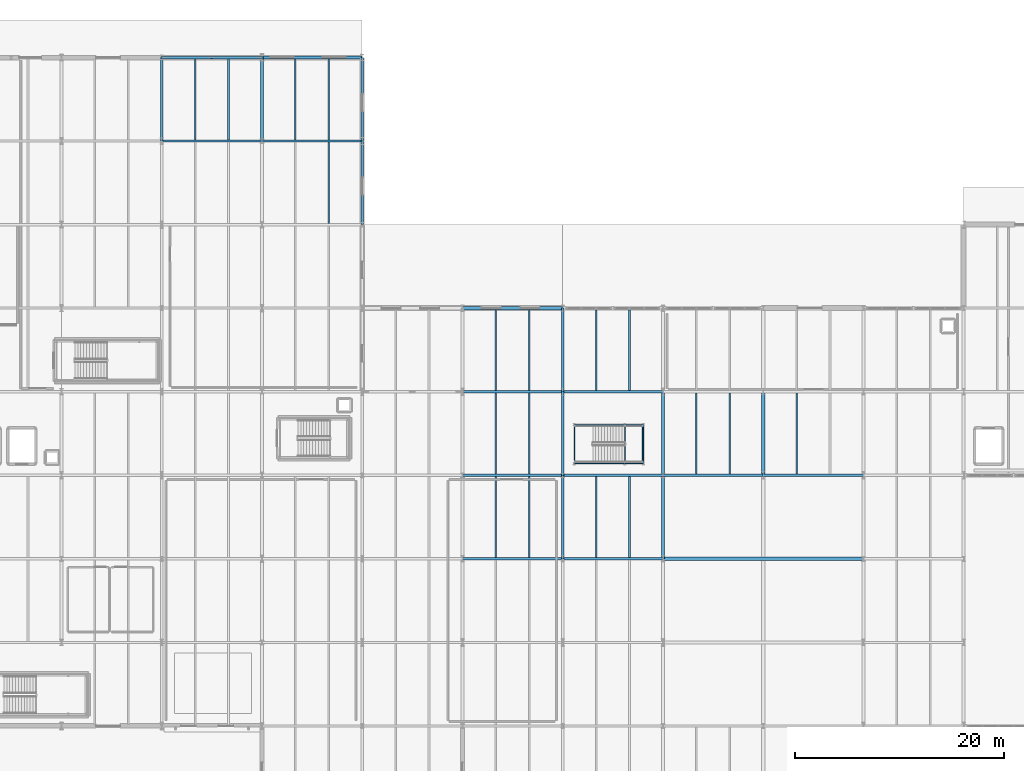
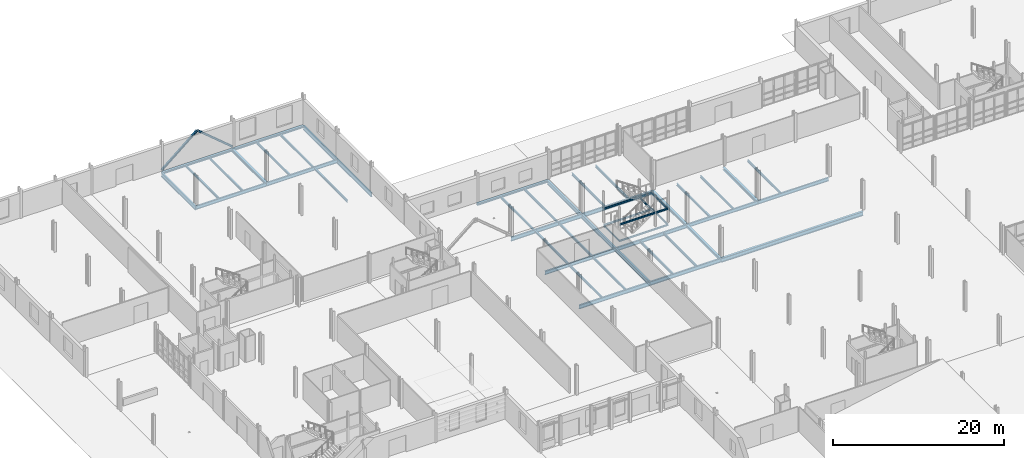
# One storey, part 37 of 78: 50 beams, 2 members.
"""IFC4 building model written with IfcOpenShell, lengths in metres."""

from ifc_helpers import new_model, si_unit, direction, frame, origin, origin_2d, place, context, subcontext, project, spatial, i_section, extrude, material, material_profile, profile_set, type_object, element, save


model = new_model("IFC4")

# Units and contexts
model_context = context("Model", 3, precision=1e-05, world=origin(), true_north=direction((0.0, 1.0)))
body_context = subcontext(model_context, "Body", "Model", "MODEL_VIEW")
ifc_project = project(units=[si_unit("LENGTHUNIT", "METRE"), si_unit("AREAUNIT", "SQUARE_METRE"), si_unit("VOLUMEUNIT", "CUBIC_METRE"), si_unit("PLANEANGLEUNIT", "RADIAN"), si_unit("MASSUNIT", "GRAM", prefix="KILO")], contexts=[model_context])

# Site, building, storey
site_placement = place(None, origin())
site = spatial("IfcSite", under=ifc_project, at=site_placement, CompositionType="ELEMENT")
building_placement = place(site_placement, origin())
building = spatial("IfcBuilding", under=site, at=building_placement, Name="Alderhovde Museum", CompositionType="ELEMENT")
storey_placement = place(building_placement, origin())
storey = spatial("IfcBuildingStorey", under=building, at=storey_placement, Name="L00", CompositionType="ELEMENT", Elevation=0.0)

# Beams
ifc_material_1 = material(Name="Steel S355J2", Category="steel")
ifc_material_profile_1 = material_profile(ifc_material_1, i_section(OverallWidth=0.300048828125, OverallDepth=0.389892578125, WebThickness=0.010986328125, FlangeThickness=0.01904296875, FilletRadius=0.027099609375, at=origin_2d()), Name="HEA 400")
ifc_profile_set_1 = profile_set([ifc_material_profile_1], Name="Steel S355J2")
beam_type_1 = type_object("IfcBeamType", Name="BM-HEA400", PredefinedType="BEAM", material=ifc_profile_set_1)
for number, where, z_axis, x_axis, name in (
    (1, (48.0, 104.0, -0.47509765625), (0.0, 1.0, 0.0), (-1.0, 0.0, 0.0), "L00 Grid Beam X=48.0 (104.0 TO 112.0)"),
    (2, (86.39990234375, 64.0, -0.47509765625), (0.0, 1.0, 0.0), (-1.0, 0.0, 0.0), "L00 Grid Beam X=86.4 (64.0 TO 72.0)"),
    (3, (86.39990234375, 72.0, -0.47509765625), (0.0, 1.0, 0.0), (-1.0, 0.0, 0.0), "L00 Grid Beam X=86.4 (72.0 TO 80.0)"),
    (4, (96.0, 72.0, -0.47509765625), (0.0, 1.0, 0.0), (-1.0, 0.0, 0.0), "L00 Grid Beam X=96.0 (72.0 TO 80.0)"),
):
    element("IfcBeam", number, at=place(storey_placement, frame(where, z_axis=z_axis, x_axis=x_axis)), inside=storey, type_object=beam_type_1, Name=name, PredefinedType="BEAM", context=body_context, shape_type="SweptSolid", body=[
        extrude(i_section(OverallWidth=0.300048828125, OverallDepth=0.389892578125, WebThickness=0.010986328125, FlangeThickness=0.01904296875, FilletRadius=0.027099609375, at=origin_2d()), origin(), (0.0, 0.0, 1.0), 8.0),
    ])
ifc_material_2 = material(Name="Steel S355J2", Category="steel")
ifc_material_profile_2 = material_profile(ifc_material_2, i_section(OverallWidth=0.300048828125, OverallDepth=0.60009765625, WebThickness=0.015380859375, FlangeThickness=0.030029296875, FilletRadius=0.027099609375, at=origin_2d()), Name="HEB 600")
ifc_profile_set_2 = profile_set([ifc_material_profile_2], Name="Steel S355J2")
beam_type_2 = type_object("IfcBeamType", Name="BM-HEB600", PredefinedType="BEAM", material=ifc_profile_set_2)
beam_1_placement = place(storey_placement, frame((86.39990234375, 64.0, -0.580078125), z_axis=(1.0, 0.0, 0.0), x_axis=(0.0, 1.0, 0.0)))
element("IfcBeam", 5, at=beam_1_placement, inside=storey, type_object=beam_type_2, Name="L00 Grid Beam Y=64.0 (86.4 TO 105.6)", PredefinedType="BEAM", context=body_context, shape_type="SweptSolid", body=[
    extrude(i_section(OverallWidth=0.300048828125, OverallDepth=0.60009765625, WebThickness=0.015380859375, FlangeThickness=0.030029296875, FilletRadius=0.027099609375, at=origin_2d()), origin(), (0.0, 0.0, 1.0), 19.2001953125),
])
ifc_material_3 = material(Name="Steel S355J2", Category="steel")
ifc_material_profile_3 = material_profile(ifc_material_3, i_section(OverallWidth=0.1201171875, OverallDepth=0.239990234375, WebThickness=0.006103515625, FlangeThickness=0.009765625, FilletRadius=0.014892578125, at=origin_2d()), Name="IPE 240")
ifc_profile_set_3 = profile_set([ifc_material_profile_3], Name="Steel S355J2")
beam_type_3 = type_object("IfcBeamType", Name="BM-IPE240", PredefinedType="BEAM", material=ifc_profile_set_3)
for number, where, z_axis, x_axis, name in (
    (6, (77.919921875, 73.1201171875, 1.929931640625), (1.0, 0.0, 0.0), (0.0, 1.0, 0.0), "L00 Stair ST5 Landing 1 Beam S"),
    (7, (77.919921875, 76.840087890625, 1.929931640625), (1.0, 0.0, 0.0), (0.0, 1.0, 0.0), "L00 Stair ST5 Landing 1 Beam N"),
):
    element("IfcBeam", number, at=place(storey_placement, frame(where, z_axis=z_axis, x_axis=x_axis)), inside=storey, type_object=beam_type_3, Name=name, PredefinedType="BEAM", context=body_context, shape_type="SweptSolid", body=[
        extrude(i_section(OverallWidth=0.1201171875, OverallDepth=0.239990234375, WebThickness=0.006103515625, FlangeThickness=0.009765625, FilletRadius=0.014892578125, at=origin_2d()), origin(), (0.0, 0.0, 1.0), 6.60009765625),
    ])
for number, where, z_axis, x_axis, name in (
    (8, (82.760009765625, 73.1201171875, 1.929931640625), (0.0, 1.0, 0.0), (-1.0, 0.0, 0.0), "L00 Stair ST5 Landing 1 Beam W"),
    (9, (84.43994140625, 73.1201171875, 1.929931640625), (0.0, 1.0, 0.0), (-1.0, 0.0, 0.0), "L00 Stair ST5 Landing 1 Beam E"),
):
    element("IfcBeam", number, at=place(storey_placement, frame(where, z_axis=z_axis, x_axis=x_axis)), inside=storey, type_object=beam_type_3, Name=name, PredefinedType="BEAM", context=body_context, shape_type="SweptSolid", body=[
        extrude(i_section(OverallWidth=0.1201171875, OverallDepth=0.239990234375, WebThickness=0.006103515625, FlangeThickness=0.009765625, FilletRadius=0.014892578125, at=origin_2d()), origin(), (0.0, 0.0, 1.0), 3.719970703125),
    ])
for number, where, z_axis, x_axis, name in (
    (10, (77.919921875, 73.1201171875, -0.39990234375), (1.0, 0.0, 0.0), (0.0, 1.0, 0.0), "L00 Stair ST5 Floor Trimmer S"),
    (11, (77.919921875, 76.840087890625, -0.39990234375), (1.0, 0.0, 0.0), (0.0, 1.0, 0.0), "L00 Stair ST5 Floor Trimmer N"),
):
    element("IfcBeam", number, at=place(storey_placement, frame(where, z_axis=z_axis, x_axis=x_axis)), inside=storey, type_object=beam_type_3, Name=name, PredefinedType="BEAM", context=body_context, shape_type="SweptSolid", body=[
        extrude(i_section(OverallWidth=0.1201171875, OverallDepth=0.239990234375, WebThickness=0.006103515625, FlangeThickness=0.009765625, FilletRadius=0.014892578125, at=origin_2d()), origin(), (0.0, 0.0, 1.0), 6.60009765625),
    ])
for number, where, z_axis, x_axis, name in (
    (12, (77.919921875, 73.1201171875, -0.39990234375), (0.0, 1.0, 0.0), (-1.0, 0.0, 0.0), "L00 Stair ST5 Floor Trimmer W"),
    (13, (84.52001953125, 73.1201171875, -0.39990234375), (0.0, 1.0, 0.0), (-1.0, 0.0, 0.0), "L00 Stair ST5 Floor Trimmer E"),
):
    element("IfcBeam", number, at=place(storey_placement, frame(where, z_axis=z_axis, x_axis=x_axis)), inside=storey, type_object=beam_type_3, Name=name, PredefinedType="BEAM", context=body_context, shape_type="SweptSolid", body=[
        extrude(i_section(OverallWidth=0.1201171875, OverallDepth=0.239990234375, WebThickness=0.006103515625, FlangeThickness=0.009765625, FilletRadius=0.014892578125, at=origin_2d()), origin(), (0.0, 0.0, 1.0), 3.719970703125),
    ])
ifc_material_4 = material(Name="Steel S355J2", Category="steel")
ifc_material_profile_4 = material_profile(ifc_material_4, i_section(OverallWidth=0.199951171875, OverallDepth=0.5, WebThickness=0.01025390625, FlangeThickness=0.01611328125, FilletRadius=0.02099609375, at=origin_2d()), Name="IPE 500")
ifc_profile_set_4 = profile_set([ifc_material_profile_4], Name="Steel S355J2")
beam_type_4 = type_object("IfcBeamType", Name="BM-IPE500", PredefinedType="BEAM", material=ifc_profile_set_4)
beam_2_placement = place(storey_placement, frame((67.199951171875, 72.0, -0.530029296875), z_axis=(1.0, 0.0, 0.0), x_axis=(0.0, 1.0, 0.0)))
element("IfcBeam", 14, at=beam_2_placement, inside=storey, type_object=beam_type_4, Name="L00 Grid Beam Y=72.0 (67.2 TO 76.8)", PredefinedType="BEAM", context=body_context, shape_type="SweptSolid", body=[
    extrude(i_section(OverallWidth=0.199951171875, OverallDepth=0.5, WebThickness=0.01025390625, FlangeThickness=0.01611328125, FilletRadius=0.02099609375, at=origin_2d()), origin(), (0.0, 0.0, 1.0), 9.60009765625),
])
beam_3_placement = place(storey_placement, frame((76.800048828125, 72.0, -0.530029296875), z_axis=(1.0, 0.0, 0.0), x_axis=(0.0, 1.0, 0.0)))
element("IfcBeam", 15, at=beam_3_placement, inside=storey, type_object=beam_type_4, Name="L00 Grid Beam Y=72.0 (76.8 TO 86.4)", PredefinedType="BEAM", context=body_context, shape_type="SweptSolid", body=[
    extrude(i_section(OverallWidth=0.199951171875, OverallDepth=0.5, WebThickness=0.01025390625, FlangeThickness=0.01611328125, FilletRadius=0.02099609375, at=origin_2d()), origin(), (0.0, 0.0, 1.0), 9.599853515625),
])
for number, where, z_axis, x_axis, name in (
    (16, (86.39990234375, 72.0, -0.530029296875), (1.0, 0.0, 0.0), (0.0, 1.0, 0.0), "L00 Grid Beam Y=72.0 (86.4 TO 96.0)"),
    (17, (96.0, 72.0, -0.530029296875), (1.0, 0.0, 0.0), (0.0, 1.0, 0.0), "L00 Grid Beam Y=72.0 (96.0 TO 105.6)"),
    (18, (38.39990234375, 104.0, -0.530029296875), (1.0, 0.0, 0.0), (0.0, 1.0, 0.0), "L00 Grid Beam Y=104.0 (38.4 TO 48.0)"),
    (19, (48.0, 104.0, -0.530029296875), (1.0, 0.0, 0.0), (0.0, 1.0, 0.0), "L00 Grid Beam Y=104.0 (48.0 TO 57.6)"),
):
    element("IfcBeam", number, at=place(storey_placement, frame(where, z_axis=z_axis, x_axis=x_axis)), inside=storey, type_object=beam_type_4, Name=name, PredefinedType="BEAM", context=body_context, shape_type="SweptSolid", body=[
        extrude(i_section(OverallWidth=0.199951171875, OverallDepth=0.5, WebThickness=0.01025390625, FlangeThickness=0.01611328125, FilletRadius=0.02099609375, at=origin_2d()), origin(), (0.0, 0.0, 1.0), 9.60009765625),
    ])
ifc_material_5 = material(Name="Steel S355J2", Category="steel")
ifc_material_profile_5 = material_profile(ifc_material_5, i_section(OverallWidth=0.2099609375, OverallDepth=0.550048828125, WebThickness=0.010986328125, FlangeThickness=0.01708984375, FilletRadius=0.02392578125, at=origin_2d()), Name="IPE 550")
ifc_profile_set_5 = profile_set([ifc_material_profile_5], Name="Steel S355J2")
beam_type_5 = type_object("IfcBeamType", Name="BM-IPE550", PredefinedType="BEAM", material=ifc_profile_set_5)
beam_4_placement = place(storey_placement, frame((67.199951171875, 64.0, -0.554931640625), z_axis=(1.0, 0.0, 0.0), x_axis=(0.0, 1.0, 0.0)))
element("IfcBeam", 20, at=beam_4_placement, inside=storey, type_object=beam_type_5, Name="L00 Grid Beam Y=64.0 (67.2 TO 76.8)", PredefinedType="BEAM", context=body_context, shape_type="SweptSolid", body=[
    extrude(i_section(OverallWidth=0.2099609375, OverallDepth=0.550048828125, WebThickness=0.010986328125, FlangeThickness=0.01708984375, FilletRadius=0.02392578125, at=origin_2d()), origin(), (0.0, 0.0, 1.0), 9.60009765625),
])
beam_5_placement = place(storey_placement, frame((76.800048828125, 64.0, -0.554931640625), z_axis=(1.0, 0.0, 0.0), x_axis=(0.0, 1.0, 0.0)))
element("IfcBeam", 21, at=beam_5_placement, inside=storey, type_object=beam_type_5, Name="L00 Grid Beam Y=64.0 (76.8 TO 86.4)", PredefinedType="BEAM", context=body_context, shape_type="SweptSolid", body=[
    extrude(i_section(OverallWidth=0.2099609375, OverallDepth=0.550048828125, WebThickness=0.010986328125, FlangeThickness=0.01708984375, FilletRadius=0.02392578125, at=origin_2d()), origin(), (0.0, 0.0, 1.0), 9.599853515625),
])
beam_6_placement = place(storey_placement, frame((67.199951171875, 80.0, -0.554931640625), z_axis=(1.0, 0.0, 0.0), x_axis=(0.0, 1.0, 0.0)))
element("IfcBeam", 22, at=beam_6_placement, inside=storey, type_object=beam_type_5, Name="L00 Grid Beam Y=80.0 (67.2 TO 76.8)", PredefinedType="BEAM", context=body_context, shape_type="SweptSolid", body=[
    extrude(i_section(OverallWidth=0.2099609375, OverallDepth=0.550048828125, WebThickness=0.010986328125, FlangeThickness=0.01708984375, FilletRadius=0.02392578125, at=origin_2d()), origin(), (0.0, 0.0, 1.0), 9.60009765625),
])
beam_7_placement = place(storey_placement, frame((76.800048828125, 80.0, -0.554931640625), z_axis=(1.0, 0.0, 0.0), x_axis=(0.0, 1.0, 0.0)))
element("IfcBeam", 23, at=beam_7_placement, inside=storey, type_object=beam_type_5, Name="L00 Grid Beam Y=80.0 (76.8 TO 86.4)", PredefinedType="BEAM", context=body_context, shape_type="SweptSolid", body=[
    extrude(i_section(OverallWidth=0.2099609375, OverallDepth=0.550048828125, WebThickness=0.010986328125, FlangeThickness=0.01708984375, FilletRadius=0.02392578125, at=origin_2d()), origin(), (0.0, 0.0, 1.0), 9.599853515625),
])
ifc_material_6 = material(Name="Steel S355J2", Category="steel")
ifc_material_profile_6 = material_profile(ifc_material_6, i_section(OverallWidth=0.219970703125, OverallDepth=0.60009765625, WebThickness=0.011962890625, FlangeThickness=0.01904296875, FilletRadius=0.02392578125, at=origin_2d()), Name="IPE 600")
ifc_profile_set_6 = profile_set([ifc_material_profile_6], Name="Steel S355J2")
beam_type_6 = type_object("IfcBeamType", Name="BM-IPE600", PredefinedType="BEAM", material=ifc_profile_set_6)
for number, where, z_axis, x_axis, name in (
    (24, (38.39990234375, 104.0, -0.580078125), (0.0, 1.0, 0.0), (-1.0, 0.0, 0.0), "L00 Grid Beam X=38.4 (104.0 TO 112.0)"),
    (25, (57.60009765625, 96.0, -0.580078125), (0.0, 1.0, 0.0), (-1.0, 0.0, 0.0), "L00 Grid Beam X=57.6 (96.0 TO 104.0)"),
    (26, (57.60009765625, 104.0, -0.580078125), (0.0, 1.0, 0.0), (-1.0, 0.0, 0.0), "L00 Grid Beam X=57.6 (104.0 TO 112.0)"),
    (27, (76.800048828125, 64.0, -0.580078125), (0.0, 1.0, 0.0), (-1.0, 0.0, 0.0), "L00 Grid Beam X=76.8 (64.0 TO 72.0)"),
    (28, (76.800048828125, 72.0, -0.580078125), (0.0, 1.0, 0.0), (-1.0, 0.0, 0.0), "L00 Grid Beam X=76.8 (72.0 TO 80.0)"),
    (29, (76.800048828125, 80.0, -0.580078125), (0.0, 1.0, 0.0), (-1.0, 0.0, 0.0), "L00 Grid Beam X=76.8 (80.0 TO 88.0)"),
):
    element("IfcBeam", number, at=place(storey_placement, frame(where, z_axis=z_axis, x_axis=x_axis)), inside=storey, type_object=beam_type_6, Name=name, PredefinedType="BEAM", context=body_context, shape_type="SweptSolid", body=[
        extrude(i_section(OverallWidth=0.219970703125, OverallDepth=0.60009765625, WebThickness=0.011962890625, FlangeThickness=0.01904296875, FilletRadius=0.02392578125, at=origin_2d()), origin(), (0.0, 0.0, 1.0), 8.0),
    ])

# Members
ifc_material_7 = material(Name="Steel S355J2", Category="steel")
ifc_material_profile_7 = material_profile(ifc_material_7, i_section(OverallWidth=0.239990234375, OverallDepth=0.239990234375, WebThickness=0.010009765625, FlangeThickness=0.01708984375, FilletRadius=0.02099609375, at=origin_2d()), Name="HEB 240")
ifc_profile_set_7 = profile_set([ifc_material_profile_7], Name="Steel S355J2")
member_type = type_object("IfcMemberType", Name="BR-HEB240", PredefinedType="BRACE", material=ifc_profile_set_7)
for number, where, z_axis, x_axis, name in (
    (30, (38.39990234375, 112.0, 0.0), (0.766649646023, 0.0, 0.64206566662), (0.0, 1.0, 0.0), "L00 Chevron Brace BR-V4-N-L"),
    (31, (48.0, 112.0, 0.0), (-0.766649646023, 0.0, 0.64206566662), (0.0, -1.0, 0.0), "L00 Chevron Brace BR-V4-N-R"),
):
    element("IfcMember", number, at=place(storey_placement, frame(where, z_axis=z_axis, x_axis=x_axis)), inside=storey, type_object=member_type, Name=name, PredefinedType="BRACE", context=body_context, shape_type="SweptSolid", body=[
        extrude(i_section(OverallWidth=0.239990234375, OverallDepth=0.239990234375, WebThickness=0.010009765625, FlangeThickness=0.01708984375, FilletRadius=0.02099609375, at=origin_2d()), origin(), (0.0, 0.0, 1.0), 6.260986328125),
    ])

# Beams
ifc_material_8 = material(Name="Steel S355J2", Category="steel")
ifc_material_profile_8 = material_profile(ifc_material_8, i_section(OverallWidth=0.159912109375, OverallDepth=0.330078125, WebThickness=0.007568359375, FlangeThickness=0.011474609375, FilletRadius=0.01806640625, at=origin_2d()), Name="IPE 330")
ifc_profile_set_8 = profile_set([ifc_material_profile_8], Name="Steel S355J2")
beam_type_7 = type_object("IfcBeamType", Name="JST-IPE330", PredefinedType="JOIST", material=ifc_profile_set_8)
for number, where, z_axis, x_axis, name in (
    (32, (41.60009765625, 104.10009765625, -0.445068359375), (0.0, 1.0, 0.0), (-1.0, 0.0, 0.0), "L00 Composite Joist X=41.6 (104.0 TO 112.0)"),
    (33, (44.800048828125, 104.10009765625, -0.445068359375), (0.0, 1.0, 0.0), (-1.0, 0.0, 0.0), "L00 Composite Joist X=44.8 (104.0 TO 112.0)"),
):
    element("IfcBeam", number, at=place(storey_placement, frame(where, z_axis=z_axis, x_axis=x_axis)), inside=storey, type_object=beam_type_7, Name=name, PredefinedType="JOIST", context=body_context, shape_type="SweptSolid", body=[
        extrude(i_section(OverallWidth=0.159912109375, OverallDepth=0.330078125, WebThickness=0.007568359375, FlangeThickness=0.011474609375, FilletRadius=0.01806640625, at=origin_2d()), origin(), (0.0, 0.0, 1.0), 7.75),
    ])
beam_8_placement = place(storey_placement, frame((54.39990234375, 96.10498046875, -0.445068359375), z_axis=(0.0, 1.0, 0.0), x_axis=(-1.0, 0.0, 0.0)))
element("IfcBeam", 34, at=beam_8_placement, inside=storey, type_object=beam_type_7, Name="L00 Composite Joist X=54.4 (96.0 TO 104.0)", PredefinedType="JOIST", context=body_context, shape_type="SweptSolid", body=[
    extrude(i_section(OverallWidth=0.159912109375, OverallDepth=0.330078125, WebThickness=0.007568359375, FlangeThickness=0.011474609375, FilletRadius=0.01806640625, at=origin_2d()), origin(), (0.0, 0.0, 1.0), 7.794921875),
])
for number, where, z_axis, x_axis, name in (
    (35, (51.199951171875, 104.10009765625, -0.445068359375), (0.0, 1.0, 0.0), (-1.0, 0.0, 0.0), "L00 Composite Joist X=51.2 (104.0 TO 112.0)"),
    (36, (54.39990234375, 104.10009765625, -0.445068359375), (0.0, 1.0, 0.0), (-1.0, 0.0, 0.0), "L00 Composite Joist X=54.4 (104.0 TO 112.0)"),
):
    element("IfcBeam", number, at=place(storey_placement, frame(where, z_axis=z_axis, x_axis=x_axis)), inside=storey, type_object=beam_type_7, Name=name, PredefinedType="JOIST", context=body_context, shape_type="SweptSolid", body=[
        extrude(i_section(OverallWidth=0.159912109375, OverallDepth=0.330078125, WebThickness=0.007568359375, FlangeThickness=0.011474609375, FilletRadius=0.01806640625, at=origin_2d()), origin(), (0.0, 0.0, 1.0), 7.75),
    ])
for number, where, z_axis, x_axis, name in (
    (37, (70.39990234375, 64.10498046875, -0.445068359375), (0.0, 1.0, 0.0), (-1.0, 0.0, 0.0), "L00 Composite Joist X=70.4 (64.0 TO 72.0)"),
    (38, (73.60009765625, 64.10498046875, -0.445068359375), (0.0, 1.0, 0.0), (-1.0, 0.0, 0.0), "L00 Composite Joist X=73.6 (64.0 TO 72.0)"),
    (39, (70.39990234375, 72.10009765625, -0.445068359375), (0.0, 1.0, 0.0), (-1.0, 0.0, 0.0), "L00 Composite Joist X=70.4 (72.0 TO 80.0)"),
    (40, (73.60009765625, 72.10009765625, -0.445068359375), (0.0, 1.0, 0.0), (-1.0, 0.0, 0.0), "L00 Composite Joist X=73.6 (72.0 TO 80.0)"),
):
    element("IfcBeam", number, at=place(storey_placement, frame(where, z_axis=z_axis, x_axis=x_axis)), inside=storey, type_object=beam_type_7, Name=name, PredefinedType="JOIST", context=body_context, shape_type="SweptSolid", body=[
        extrude(i_section(OverallWidth=0.159912109375, OverallDepth=0.330078125, WebThickness=0.007568359375, FlangeThickness=0.011474609375, FilletRadius=0.01806640625, at=origin_2d()), origin(), (0.0, 0.0, 1.0), 7.794921875),
    ])
for number, where, z_axis, x_axis, name in (
    (41, (70.39990234375, 80.10498046875, -0.445068359375), (0.0, 1.0, 0.0), (-1.0, 0.0, 0.0), "L00 Composite Joist X=70.4 (80.0 TO 88.0)"),
    (42, (73.60009765625, 80.10498046875, -0.445068359375), (0.0, 1.0, 0.0), (-1.0, 0.0, 0.0), "L00 Composite Joist X=73.6 (80.0 TO 88.0)"),
):
    element("IfcBeam", number, at=place(storey_placement, frame(where, z_axis=z_axis, x_axis=x_axis)), inside=storey, type_object=beam_type_7, Name=name, PredefinedType="JOIST", context=body_context, shape_type="SweptSolid", body=[
        extrude(i_section(OverallWidth=0.159912109375, OverallDepth=0.330078125, WebThickness=0.007568359375, FlangeThickness=0.011474609375, FilletRadius=0.01806640625, at=origin_2d()), origin(), (0.0, 0.0, 1.0), 7.7451171875),
    ])
for number, where, z_axis, x_axis, name in (
    (43, (80.0, 64.10498046875, -0.445068359375), (0.0, 1.0, 0.0), (-1.0, 0.0, 0.0), "L00 Composite Joist X=80.0 (64.0 TO 72.0)"),
    (44, (83.199951171875, 64.10498046875, -0.445068359375), (0.0, 1.0, 0.0), (-1.0, 0.0, 0.0), "L00 Composite Joist X=83.2 (64.0 TO 72.0)"),
):
    element("IfcBeam", number, at=place(storey_placement, frame(where, z_axis=z_axis, x_axis=x_axis)), inside=storey, type_object=beam_type_7, Name=name, PredefinedType="JOIST", context=body_context, shape_type="SweptSolid", body=[
        extrude(i_section(OverallWidth=0.159912109375, OverallDepth=0.330078125, WebThickness=0.007568359375, FlangeThickness=0.011474609375, FilletRadius=0.01806640625, at=origin_2d()), origin(), (0.0, 0.0, 1.0), 7.794921875),
    ])
for number, where, z_axis, x_axis, name in (
    (45, (80.0, 80.10498046875, -0.445068359375), (0.0, 1.0, 0.0), (-1.0, 0.0, 0.0), "L00 Composite Joist X=80.0 (80.0 TO 88.0)"),
    (46, (83.199951171875, 80.10498046875, -0.445068359375), (0.0, 1.0, 0.0), (-1.0, 0.0, 0.0), "L00 Composite Joist X=83.2 (80.0 TO 88.0)"),
):
    element("IfcBeam", number, at=place(storey_placement, frame(where, z_axis=z_axis, x_axis=x_axis)), inside=storey, type_object=beam_type_7, Name=name, PredefinedType="JOIST", context=body_context, shape_type="SweptSolid", body=[
        extrude(i_section(OverallWidth=0.159912109375, OverallDepth=0.330078125, WebThickness=0.007568359375, FlangeThickness=0.011474609375, FilletRadius=0.01806640625, at=origin_2d()), origin(), (0.0, 0.0, 1.0), 7.7451171875),
    ])
for number, where, z_axis, x_axis, name in (
    (47, (89.60009765625, 72.10009765625, -0.445068359375), (0.0, 1.0, 0.0), (-1.0, 0.0, 0.0), "L00 Composite Joist X=89.6 (72.0 TO 80.0)"),
    (48, (92.800048828125, 72.10009765625, -0.445068359375), (0.0, 1.0, 0.0), (-1.0, 0.0, 0.0), "L00 Composite Joist X=92.8 (72.0 TO 80.0)"),
    (49, (99.199951171875, 72.10009765625, -0.445068359375), (0.0, 1.0, 0.0), (-1.0, 0.0, 0.0), "L00 Composite Joist X=99.2 (72.0 TO 80.0)"),
):
    element("IfcBeam", number, at=place(storey_placement, frame(where, z_axis=z_axis, x_axis=x_axis)), inside=storey, type_object=beam_type_7, Name=name, PredefinedType="JOIST", context=body_context, shape_type="SweptSolid", body=[
        extrude(i_section(OverallWidth=0.159912109375, OverallDepth=0.330078125, WebThickness=0.007568359375, FlangeThickness=0.011474609375, FilletRadius=0.01806640625, at=origin_2d()), origin(), (0.0, 0.0, 1.0), 7.794921875),
    ])
ifc_material_9 = material(Name="Steel S355J2", Category="steel")
ifc_material_profile_9 = material_profile(ifc_material_9, i_section(OverallWidth=0.300048828125, OverallDepth=0.2900390625, WebThickness=0.008544921875, FlangeThickness=0.013916015625, FilletRadius=0.027099609375, at=origin_2d()), Name="HEA 300")
ifc_profile_set_9 = profile_set([ifc_material_profile_9], Name="Steel S355J2")
beam_type_8 = type_object("IfcBeamType", Name="SPD-HEA300", PredefinedType="SPANDREL", material=ifc_profile_set_9)
for number, where, z_axis, x_axis, name in (
    (50, (67.199951171875, 88.0, -0.425048828125), (1.0, 0.0, 0.0), (0.0, 1.0, 0.0), "L00 Grid Beam Y=88.0 (67.2 TO 76.8)"),
    (51, (38.39990234375, 112.0, -0.425048828125), (1.0, 0.0, 0.0), (0.0, 1.0, 0.0), "L00 Grid Beam Y=112.0 (38.4 TO 48.0)"),
    (52, (48.0, 112.0, -0.425048828125), (1.0, 0.0, 0.0), (0.0, 1.0, 0.0), "L00 Grid Beam Y=112.0 (48.0 TO 57.6)"),
):
    element("IfcBeam", number, at=place(storey_placement, frame(where, z_axis=z_axis, x_axis=x_axis)), inside=storey, type_object=beam_type_8, Name=name, PredefinedType="SPANDREL", context=body_context, shape_type="SweptSolid", body=[
        extrude(i_section(OverallWidth=0.300048828125, OverallDepth=0.2900390625, WebThickness=0.008544921875, FlangeThickness=0.013916015625, FilletRadius=0.027099609375, at=origin_2d()), origin(), (0.0, 0.0, 1.0), 9.60009765625),
    ])

save(model, "model.ifc")
